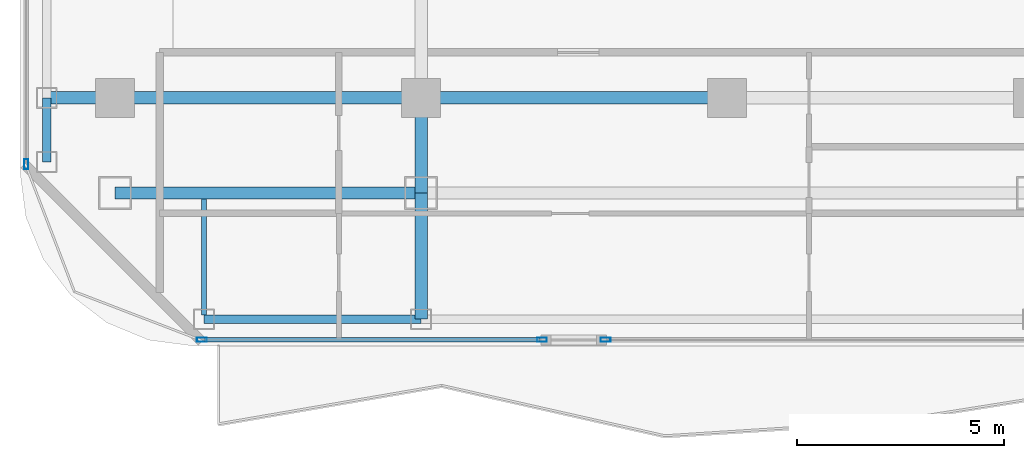
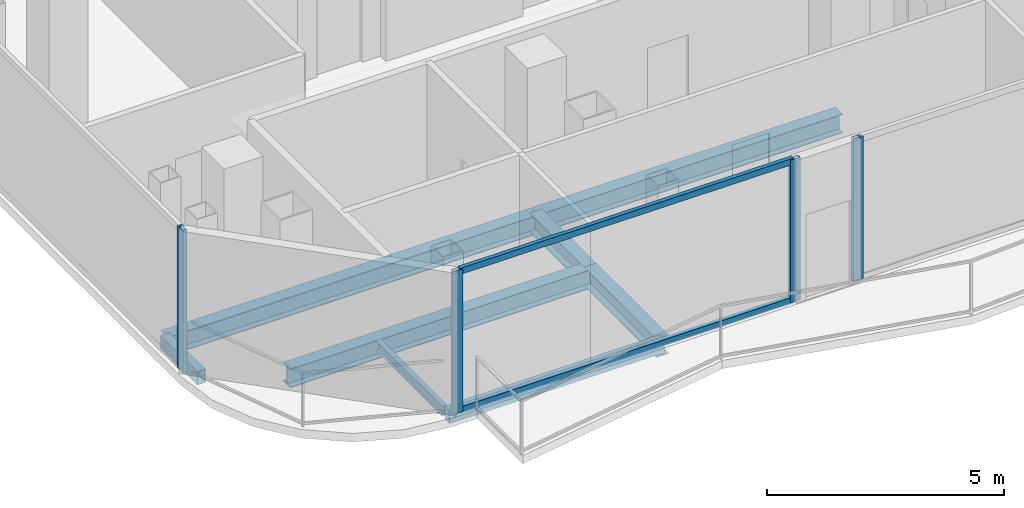
# One storey, part 2 of 23: 8 beams, 6 members, 3 elements without a shape of their own.
"""IFC4 building model written with IfcOpenShell, lengths in metres."""

from ifc_helpers import new_model, si_unit, direction, frame, origin, origin_2d, place, context, subcontext, project, spatial, hollow_rectangle, i_section, extrude, material, layer, layer_set, material_profile, profile_set, type_object, element, aggregate, save


model = new_model("IFC4")

# Units and contexts
model_context = context("Model", 3, precision=1e-05, world=origin(), true_north=direction((0.0, 1.0)))
body_context = subcontext(model_context, "Body", "Model", "MODEL_VIEW")
ifc_project = project(units=[si_unit("LENGTHUNIT", "METRE"), si_unit("AREAUNIT", "SQUARE_METRE"), si_unit("VOLUMEUNIT", "CUBIC_METRE"), si_unit("PLANEANGLEUNIT", "RADIAN"), si_unit("MASSUNIT", "GRAM", prefix="KILO")], contexts=[model_context])

# Site, building, storey
site_placement = place(None, origin())
site = spatial("IfcSite", under=ifc_project, at=site_placement, CompositionType="ELEMENT")
building_placement = place(site_placement, origin())
building = spatial("IfcBuilding", under=site, at=building_placement, Name="Khorvyn Point Tower", CompositionType="ELEMENT")
storey_placement = place(building_placement, frame((0.0, 0.0, 258.60009765625)))
storey = spatial("IfcBuildingStorey", under=building, at=storey_placement, Name="L63", CompositionType="ELEMENT", Elevation=258.60009765625)

# Curtain wall, member
ifc_material_1 = material(Name="Anodised aluminium 6063-T6 and laminated Low-E glass", Category="aluminium")
ifc_layer = layer(ifc_material_1, 0.18994140625)
ifc_layer_set = layer_set([ifc_layer], Name="Stick-Built High-Wind Curtain Wall CW-SYS-04")
curtain_wall_type = type_object("IfcCurtainWallType", Name="Stick-Built High-Wind Curtain Wall CW-SYS-04", PredefinedType="NOTDEFINED", material=ifc_layer_set)
curtain_wall_1_placement = place(storey_placement, origin())
curtain_wall_1 = element("IfcCurtainWall", 1, at=curtain_wall_1_placement, inside=storey, type_object=curtain_wall_type, Name="Curtain Wall", PredefinedType="NOTDEFINED")
ifc_material_2 = material(Name="Anodised aluminium 6063-T6", Category="aluminium")
ifc_material_profile_1 = material_profile(ifc_material_2, hollow_rectangle(XDim=0.10009765625, YDim=0.239990234375, WallThickness=0.0048828125, at=origin_2d()))
ifc_profile_set_1 = profile_set([ifc_material_profile_1], Name="Anodised aluminium 6063-T6 ALU-MUL-100x240")
member_type_1 = type_object("IfcMemberType", Name="Anodised Aluminium 6063-T6 Mullion ALU-MUL-100x240", PredefinedType="MULLION", material=ifc_profile_set_1)
member_1_placement = place(storey_placement, frame((-2.93408203125, -20.64990234375, 0.0), z_axis=(0.0, 0.0, 1.0), x_axis=(0.0, -1.0, 0.0)))
member_1 = element("IfcMember", 2, at=member_1_placement, type_object=member_type_1, Name="Transom", PredefinedType="MULLION", context=body_context, shape_type="SweptSolid", body=[
    extrude(hollow_rectangle(XDim=0.10009765625, YDim=0.239990234375, WallThickness=0.0048828125, at=origin_2d()), origin(), (0.0, 0.0, 1.0), 3.679931640625),
])
aggregate(curtain_wall_1, [member_1])

# Curtain wall, members
curtain_wall_2_placement = place(storey_placement, origin())
curtain_wall_2 = element("IfcCurtainWall", 3, at=curtain_wall_2_placement, inside=storey, type_object=curtain_wall_type, Name="Curtain Wall", PredefinedType="NOTDEFINED")
member_2_placement = place(storey_placement, frame((-4.47412109375, -20.64990234375, 0.0), z_axis=(0.0, 0.0, 1.0), x_axis=(0.0, -1.0, 0.0)))
member_2 = element("IfcMember", 4, at=member_2_placement, type_object=member_type_1, Name="Transom", PredefinedType="MULLION", context=body_context, shape_type="SweptSolid", body=[
    extrude(hollow_rectangle(XDim=0.10009765625, YDim=0.239990234375, WallThickness=0.0048828125, at=origin_2d()), origin(), (0.0, 0.0, 1.0), 3.679931640625),
])
member_3_placement = place(storey_placement, frame((-12.699951171875, -20.64990234375, 0.0), z_axis=(0.0, 0.0, 1.0), x_axis=(0.0, -1.0, 0.0)))
member_3 = element("IfcMember", 5, at=member_3_placement, type_object=member_type_1, Name="Transom", PredefinedType="MULLION", context=body_context, shape_type="SweptSolid", body=[
    extrude(hollow_rectangle(XDim=0.10009765625, YDim=0.239990234375, WallThickness=0.0048828125, at=origin_2d()), origin(), (0.0, 0.0, 1.0), 3.679931640625),
])

# Curtain wall, member
curtain_wall_3_placement = place(storey_placement, origin())
curtain_wall_3 = element("IfcCurtainWall", 6, at=curtain_wall_3_placement, inside=storey, type_object=curtain_wall_type, Name="Curtain Wall", PredefinedType="NOTDEFINED")
member_4_placement = place(storey_placement, frame((-16.949951171875, -16.39990234375, 0.0), z_axis=(0.0, 0.0, 1.0), x_axis=(-1.0, 0.0, 0.0)))
member_4 = element("IfcMember", 7, at=member_4_placement, type_object=member_type_1, Name="Transom", PredefinedType="MULLION", context=body_context, shape_type="SweptSolid", body=[
    extrude(hollow_rectangle(XDim=0.10009765625, YDim=0.239990234375, WallThickness=0.0048828125, at=origin_2d()), origin(), (0.0, 0.0, 1.0), 3.679931640625),
])
aggregate(curtain_wall_3, [member_4])

# Member
ifc_material_profile_2 = material_profile(ifc_material_2, hollow_rectangle(XDim=0.10009765625, YDim=0.159912109375, WallThickness=0.00439453125, at=origin_2d()))
ifc_profile_set_2 = profile_set([ifc_material_profile_2], Name="Anodised aluminium 6063-T6 ALU-TRN-100x160")
member_type_2 = type_object("IfcMemberType", Name="Anodised Aluminium 6063-T6 Transom ALU-TRN-100x160", PredefinedType="USERDEFINED", material=ifc_profile_set_2)
member_5_placement = place(storey_placement, frame((-4.52392578125, -20.64990234375, 0.0498046875), z_axis=(-1.0, 0.0, 0.0), x_axis=(0.0, -1.0, 0.0)))
member_5 = element("IfcMember", 8, at=member_5_placement, type_object=member_type_2, Name="Transom", ObjectType="TRANSOM", PredefinedType="USERDEFINED", context=body_context, shape_type="SweptSolid", body=[
    extrude(hollow_rectangle(XDim=0.10009765625, YDim=0.159912109375, WallThickness=0.00439453125, at=origin_2d()), origin(), (0.0, 0.0, 1.0), 8.1259765625),
])

member_6_placement = place(storey_placement, frame((-4.52392578125, -20.64990234375, 3.6298828125), z_axis=(-1.0, 0.0, 0.0), x_axis=(0.0, -1.0, 0.0)))
member_6 = element("IfcMember", 9, at=member_6_placement, type_object=member_type_2, Name="Transom", ObjectType="TRANSOM", PredefinedType="USERDEFINED", context=body_context, shape_type="SweptSolid", body=[
    extrude(hollow_rectangle(XDim=0.10009765625, YDim=0.159912109375, WallThickness=0.00439453125, at=origin_2d()), origin(), (0.0, 0.0, 1.0), 8.1259765625),
])

aggregate(curtain_wall_2, [member_2, member_3, member_5, member_6])

# Beams
ifc_material_3 = material(Name="Steel S355", Category="steel")
ifc_material_profile_3 = material_profile(ifc_material_3, i_section(OverallWidth=0.125, OverallDepth=0.25, WebThickness=0.006103515625, FlangeThickness=0.009033203125, at=origin_2d()))
ifc_profile_set_3 = profile_set([ifc_material_profile_3], Name="Steel S355 H250x125x6x9")
beam_type_1 = type_object("IfcBeamType", Name="Steel S355 Joist H250x125x6x9", PredefinedType="JOIST", material=ifc_profile_set_3)
beam_1_placement = place(storey_placement, frame((-12.64990234375, -20.050048828125, -0.34521484375), z_axis=(0.0, 1.0, 0.0), x_axis=(-1.0, 0.0, 0.0)))
element("IfcBeam", 10, at=beam_1_placement, inside=storey, type_object=beam_type_1, Name="Beam", PredefinedType="JOIST", context=body_context, shape_type="SweptSolid", body=[
    extrude(i_section(OverallWidth=0.125, OverallDepth=0.25, WebThickness=0.006103515625, FlangeThickness=0.009033203125, at=origin_2d()), origin(), (0.0, 0.0, 1.0), 2.800048828125),
])
ifc_material_profile_4 = material_profile(ifc_material_3, i_section(OverallWidth=0.300048828125, OverallDepth=0.488037109375, WebThickness=0.010986328125, FlangeThickness=0.01806640625, at=origin_2d()))
ifc_profile_set_4 = profile_set([ifc_material_profile_4], Name="Steel S355 H488x300x11x18")
beam_type_2 = type_object("IfcBeamType", Name="Steel S355 Spandrel H488x300x11x18", PredefinedType="SPANDREL", material=ifc_profile_set_4)
beam_2_placement = place(storey_placement, frame((-16.449951171875, -14.800048828125, -0.464111328125), z_axis=(1.0, 0.0, 0.0), x_axis=(0.0, 1.0, 0.0)))
element("IfcBeam", 11, at=beam_2_placement, inside=storey, type_object=beam_type_2, Name="Beam", PredefinedType="SPANDREL", context=body_context, shape_type="SweptSolid", body=[
    extrude(i_section(OverallWidth=0.300048828125, OverallDepth=0.488037109375, WebThickness=0.010986328125, FlangeThickness=0.01806640625, at=origin_2d()), origin(), (0.0, 0.0, 1.0), 9.050048828125),
])
beam_3_placement = place(storey_placement, frame((-7.39990234375, -14.800048828125, -0.464111328125), z_axis=(1.0, 0.0, 0.0), x_axis=(0.0, 1.0, 0.0)))
element("IfcBeam", 12, at=beam_3_placement, inside=storey, type_object=beam_type_2, Name="Beam", PredefinedType="SPANDREL", context=body_context, shape_type="SweptSolid", body=[
    extrude(i_section(OverallWidth=0.300048828125, OverallDepth=0.488037109375, WebThickness=0.010986328125, FlangeThickness=0.01806640625, at=origin_2d()), origin(), (0.0, 0.0, 1.0), 7.39990234375),
])
beam_4_placement = place(storey_placement, frame((-14.800048828125, -17.10009765625, -0.464111328125), z_axis=(1.0, 0.0, 0.0), x_axis=(0.0, 1.0, 0.0)))
element("IfcBeam", 13, at=beam_4_placement, inside=storey, type_object=beam_type_2, Name="Beam", PredefinedType="SPANDREL", context=body_context, shape_type="SweptSolid", body=[
    extrude(i_section(OverallWidth=0.300048828125, OverallDepth=0.488037109375, WebThickness=0.010986328125, FlangeThickness=0.01806640625, at=origin_2d()), origin(), (0.0, 0.0, 1.0), 7.400146484375),
])
beam_5_placement = place(storey_placement, frame((-7.39990234375, -20.14990234375, -0.464111328125), z_axis=(0.0, 1.0, 0.0), x_axis=(-1.0, 0.0, 0.0)))
element("IfcBeam", 14, at=beam_5_placement, inside=storey, type_object=beam_type_2, Name="Beam", PredefinedType="SPANDREL", context=body_context, shape_type="SweptSolid", body=[
    extrude(i_section(OverallWidth=0.300048828125, OverallDepth=0.488037109375, WebThickness=0.010986328125, FlangeThickness=0.01806640625, at=origin_2d()), origin(), (0.0, 0.0, 1.0), 3.0498046875),
])
beam_6_placement = place(storey_placement, frame((-7.39990234375, -17.10009765625, -0.464111328125), z_axis=(0.0, 1.0, 0.0), x_axis=(-1.0, 0.0, 0.0)))
element("IfcBeam", 15, at=beam_6_placement, inside=storey, type_object=beam_type_2, Name="Beam", PredefinedType="SPANDREL", context=body_context, shape_type="SweptSolid", body=[
    extrude(i_section(OverallWidth=0.300048828125, OverallDepth=0.488037109375, WebThickness=0.010986328125, FlangeThickness=0.01806640625, at=origin_2d()), origin(), (0.0, 0.0, 1.0), 2.300048828125),
])
ifc_material_profile_5 = material_profile(ifc_material_3, hollow_rectangle(XDim=0.199951171875, YDim=0.35009765625, WallThickness=0.013916015625, at=origin_2d()))
ifc_profile_set_5 = profile_set([ifc_material_profile_5], Name="Steel S355 RHS350x200x14")
beam_type_3 = type_object("IfcBeamType", Name="Steel S355 Spandrel RHS350x200x14", PredefinedType="SPANDREL", material=ifc_profile_set_5)
beam_7_placement = place(storey_placement, frame((-12.64990234375, -20.14990234375, -0.39501953125), z_axis=(1.0, 0.0, 0.0), x_axis=(0.0, 1.0, 0.0)))
element("IfcBeam", 16, at=beam_7_placement, inside=storey, type_object=beam_type_3, Name="Beam", PredefinedType="SPANDREL", context=body_context, shape_type="SweptSolid", body=[
    extrude(hollow_rectangle(XDim=0.199951171875, YDim=0.35009765625, WallThickness=0.013916015625, at=origin_2d()), origin(), (0.0, 0.0, 1.0), 5.25),
])
beam_8_placement = place(storey_placement, frame((-16.449951171875, -16.35009765625, -0.39501953125), z_axis=(0.0, 1.0, 0.0), x_axis=(-1.0, 0.0, 0.0)))
element("IfcBeam", 17, at=beam_8_placement, inside=storey, type_object=beam_type_3, Name="Beam", PredefinedType="SPANDREL", context=body_context, shape_type="SweptSolid", body=[
    extrude(hollow_rectangle(XDim=0.199951171875, YDim=0.35009765625, WallThickness=0.013916015625, at=origin_2d()), origin(), (0.0, 0.0, 1.0), 1.550048828125),
])

save(model, "model.ifc")
